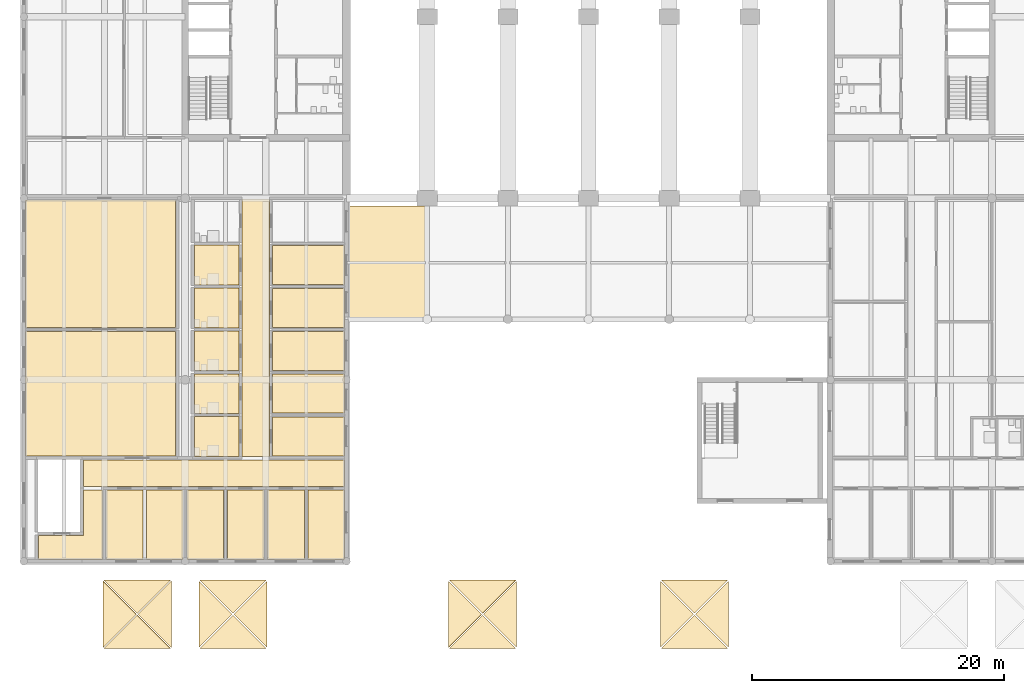
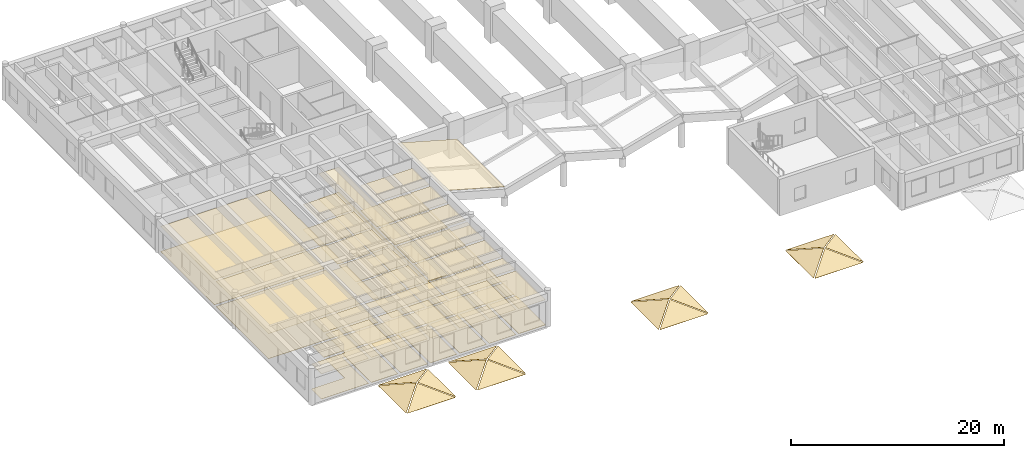
# One storey, part 15 of 19: 59 coverings.
"""IFC4 building model written with IfcOpenShell, lengths in metres."""

from ifc_helpers import new_model, si_unit, direction, frame, origin, place, context, subcontext, project, spatial, polyline, outline, extrude, material, layer, layer_set, type_object, element, save


model = new_model("IFC4")

# Units and contexts
model_context = context("Model", 3, precision=1e-05, world=origin(), true_north=direction((0.0, 1.0)))
body_context = subcontext(model_context, "Body", "Model", "MODEL_VIEW")
ifc_project = project(units=[si_unit("LENGTHUNIT", "METRE"), si_unit("AREAUNIT", "SQUARE_METRE"), si_unit("VOLUMEUNIT", "CUBIC_METRE"), si_unit("PLANEANGLEUNIT", "RADIAN"), si_unit("MASSUNIT", "GRAM", prefix="KILO")], contexts=[model_context])

# Site, building, storey
site_placement = place(None, origin())
site = spatial("IfcSite", under=ifc_project, at=site_placement, CompositionType="ELEMENT")
building_placement = place(site_placement, origin())
building = spatial("IfcBuilding", under=site, at=building_placement, Name="Fogon Plaza Fire Station and Headquarters Tower", CompositionType="ELEMENT")
storey_placement = place(building_placement, frame((0.0, 0.0, 4.199951171875)))
storey = spatial("IfcBuildingStorey", under=building, at=storey_placement, Name="L01", CompositionType="ELEMENT", Elevation=4.199951171875)

# Coverings
ifc_material_1 = material(Name="Acoustic Mineral Wool Ceiling Tile")
ifc_layer_1 = layer(ifc_material_1, 0.030029296875)
ifc_layer_set_1 = layer_set([ifc_layer_1], Name="Acoustic Mineral Wool Ceiling Tile")
covering_type_1 = type_object("IfcCoveringType", Name="Acoustic Ceiling 600x600", PredefinedType="CEILING", material=ifc_layer_set_1)
covering_1_placement = place(storey_placement, frame((0.0, 0.0, 2.880126953125)))
element("IfcCovering", 1, at=covering_1_placement, inside=storey, type_object=covering_type_1, Name="ceiling-L01-W-study", PredefinedType="CEILING", context=body_context, shape_type="SweptSolid", body=[
    extrude(outline(polyline([(0.14990234375, 18.550048828125), (0.14990234375, 28.64990234375), (12.050048828125, 28.64990234375), (12.050048828125, 18.550048828125), (0.14990234375, 18.550048828125)])), origin(), (0.0, 0.0, 1.0), 0.02001953125),
])
ifc_material_2 = material(Name="Single-ply roofing membrane")
ifc_layer_2 = layer(ifc_material_2, 0.02490234375)
ifc_layer_set_2 = layer_set([ifc_layer_2], Name="Single-ply roofing membrane")
covering_type_2 = type_object("IfcCoveringType", Name="Canopy Roofing Membrane 25", PredefinedType="ROOFING", material=ifc_layer_set_2)
covering_2_placement = place(storey_placement, frame((25.606689453125, 28.199951171875, 3.82421875), z_axis=(0.270746640342, 0.0, 0.962650641065), x_axis=(0.962650641065, 0.0, -0.270746640342)))
element("IfcCovering", 2, at=covering_2_placement, inside=storey, type_object=covering_type_2, Name="Roofing RM1 canopy-rear-1", PredefinedType="ROOFING", context=body_context, shape_type="SweptSolid", body=[
    extrude(outline(polyline([(0.0, 0.0), (6.648462288762107, 0.0), (6.648462288762107, -9.0), (0.0, -9.0), (0.0, 0.0)])), origin(), (0.0, 0.0, -1.0), 0.02490234375),
])
ifc_material_3 = material(Name="Carpet Tile Floor Finish")
ifc_layer_3 = layer(ifc_material_3, 0.011962890625)
ifc_layer_set_3 = layer_set([ifc_layer_3], Name="Carpet Tile Floor Finish")
covering_type_3 = type_object("IfcCoveringType", Name="Floor Finish Carpet 12", PredefinedType="FLOORING", material=ifc_layer_set_3)
covering_3_placement = place(storey_placement, origin())
element("IfcCovering", 3, at=covering_3_placement, inside=storey, type_object=covering_type_3, Name="floor-L01-W-study", PredefinedType="FLOORING", context=body_context, shape_type="SweptSolid", body=[
    extrude(outline(polyline([(0.14990234375, 18.550048828125), (0.14990234375, 28.64990234375), (12.050048828125, 28.64990234375), (12.050048828125, 18.550048828125), (0.14990234375, 18.550048828125)])), origin(), (0.0, 0.0, 1.0), 0.025146484375),
])
ifc_material_4 = material(Name="Ceramic Tile Floor Finish")
ifc_layer_4 = layer(ifc_material_4, 0.02490234375)
ifc_layer_set_4 = layer_set([ifc_layer_4], Name="Ceramic Tile Floor Finish")
covering_type_4 = type_object("IfcCoveringType", Name="Floor Finish Tile 25", PredefinedType="FLOORING", material=ifc_layer_set_4)
covering_4_placement = place(storey_placement, origin())
element("IfcCovering", 4, at=covering_4_placement, inside=storey, type_object=covering_type_4, Name="floor-L01-W-w1", PredefinedType="FLOORING", context=body_context, shape_type="SweptSolid", body=[
    extrude(outline(polyline([(13.52490234375, 8.324951171875), (13.52490234375, 11.47509765625), (17.074951171875, 11.47509765625), (17.074951171875, 8.324951171875), (13.52490234375, 8.324951171875)])), origin(), (0.0, 0.0, 1.0), 0.025146484375),
])
covering_5_placement = place(storey_placement, origin())
element("IfcCovering", 5, at=covering_5_placement, inside=storey, type_object=covering_type_4, Name="floor-L01-W-w2", PredefinedType="FLOORING", context=body_context, shape_type="SweptSolid", body=[
    extrude(outline(polyline([(13.52490234375, 11.72509765625), (13.52490234375, 14.875), (17.074951171875, 14.875), (17.074951171875, 11.72509765625), (13.52490234375, 11.72509765625)])), origin(), (0.0, 0.0, 1.0), 0.025146484375),
])
covering_6_placement = place(storey_placement, origin())
element("IfcCovering", 6, at=covering_6_placement, inside=storey, type_object=covering_type_4, Name="floor-L01-W-w3", PredefinedType="FLOORING", context=body_context, shape_type="SweptSolid", body=[
    extrude(outline(polyline([(13.52490234375, 15.125), (13.52490234375, 18.27490234375), (17.074951171875, 18.27490234375), (17.074951171875, 15.125), (13.52490234375, 15.125)])), origin(), (0.0, 0.0, 1.0), 0.025146484375),
])
covering_7_placement = place(storey_placement, origin())
element("IfcCovering", 7, at=covering_7_placement, inside=storey, type_object=covering_type_4, Name="floor-L01-W-w4", PredefinedType="FLOORING", context=body_context, shape_type="SweptSolid", body=[
    extrude(outline(polyline([(13.52490234375, 18.52490234375), (13.52490234375, 21.675048828125), (17.074951171875, 21.675048828125), (17.074951171875, 18.52490234375), (13.52490234375, 18.52490234375)])), origin(), (0.0, 0.0, 1.0), 0.025146484375),
])
covering_8_placement = place(storey_placement, origin())
element("IfcCovering", 8, at=covering_8_placement, inside=storey, type_object=covering_type_4, Name="floor-L01-W-w5", PredefinedType="FLOORING", context=body_context, shape_type="SweptSolid", body=[
    extrude(outline(polyline([(13.52490234375, 21.925048828125), (13.52490234375, 25.074951171875), (17.074951171875, 25.074951171875), (17.074951171875, 21.925048828125), (13.52490234375, 21.925048828125)])), origin(), (0.0, 0.0, 1.0), 0.025146484375),
])
ifc_material_5 = material(Name="Vinyl Floor Finish")
ifc_layer_5 = layer(ifc_material_5, 0.02490234375)
ifc_layer_set_5 = layer_set([ifc_layer_5], Name="Vinyl Floor Finish")
covering_type_5 = type_object("IfcCoveringType", Name="Floor Finish Vinyl 25", PredefinedType="FLOORING", material=ifc_layer_set_5)
covering_9_placement = place(storey_placement, origin())
element("IfcCovering", 9, at=covering_9_placement, inside=storey, type_object=covering_type_5, Name="floor-L01-W-d1", PredefinedType="FLOORING", context=body_context, shape_type="SweptSolid", body=[
    extrude(outline(polyline([(6.550048828125, 0.14990234375), (6.550048828125, 5.64990234375), (9.449951171875, 5.64990234375), (9.449951171875, 0.14990234375), (6.550048828125, 0.14990234375)])), origin(), (0.0, 0.0, 1.0), 0.025146484375),
])
covering_10_placement = place(storey_placement, origin())
element("IfcCovering", 10, at=covering_10_placement, inside=storey, type_object=covering_type_5, Name="floor-L01-W-d2", PredefinedType="FLOORING", context=body_context, shape_type="SweptSolid", body=[
    extrude(outline(polyline([(9.75, 0.14990234375), (9.75, 5.64990234375), (12.64990234375, 5.64990234375), (12.64990234375, 0.14990234375), (9.75, 0.14990234375)])), origin(), (0.0, 0.0, 1.0), 0.025146484375),
])
covering_11_placement = place(storey_placement, origin())
element("IfcCovering", 11, at=covering_11_placement, inside=storey, type_object=covering_type_5, Name="floor-L01-W-d3", PredefinedType="FLOORING", context=body_context, shape_type="SweptSolid", body=[
    extrude(outline(polyline([(12.949951171875, 0.14990234375), (12.949951171875, 5.64990234375), (15.85009765625, 5.64990234375), (15.85009765625, 0.14990234375), (12.949951171875, 0.14990234375)])), origin(), (0.0, 0.0, 1.0), 0.025146484375),
])
covering_12_placement = place(storey_placement, origin())
element("IfcCovering", 12, at=covering_12_placement, inside=storey, type_object=covering_type_5, Name="floor-L01-W-d4", PredefinedType="FLOORING", context=body_context, shape_type="SweptSolid", body=[
    extrude(outline(polyline([(16.14990234375, 0.14990234375), (16.14990234375, 5.64990234375), (19.050048828125, 5.64990234375), (19.050048828125, 0.14990234375), (16.14990234375, 0.14990234375)])), origin(), (0.0, 0.0, 1.0), 0.025146484375),
])
covering_13_placement = place(storey_placement, origin())
element("IfcCovering", 13, at=covering_13_placement, inside=storey, type_object=covering_type_5, Name="floor-L01-W-d5", PredefinedType="FLOORING", context=body_context, shape_type="SweptSolid", body=[
    extrude(outline(polyline([(19.35009765625, 0.14990234375), (19.35009765625, 5.64990234375), (22.25, 5.64990234375), (22.25, 0.14990234375), (19.35009765625, 0.14990234375)])), origin(), (0.0, 0.0, 1.0), 0.025146484375),
])
covering_14_placement = place(storey_placement, origin())
element("IfcCovering", 14, at=covering_14_placement, inside=storey, type_object=covering_type_5, Name="floor-L01-W-d6", PredefinedType="FLOORING", context=body_context, shape_type="SweptSolid", body=[
    extrude(outline(polyline([(22.550048828125, 0.14990234375), (22.550048828125, 5.64990234375), (25.449951171875, 5.64990234375), (25.449951171875, 0.14990234375), (22.550048828125, 0.14990234375)])), origin(), (0.0, 0.0, 1.0), 0.025146484375),
])
covering_15_placement = place(storey_placement, origin())
element("IfcCovering", 15, at=covering_15_placement, inside=storey, type_object=covering_type_5, Name="floor-L01-W-d7", PredefinedType="FLOORING", context=body_context, shape_type="SweptSolid", body=[
    extrude(outline(polyline([(19.75, 8.35009765625), (19.75, 11.449951171875), (25.449951171875, 11.449951171875), (25.449951171875, 8.35009765625), (19.75, 8.35009765625)])), origin(), (0.0, 0.0, 1.0), 0.025146484375),
])
covering_16_placement = place(storey_placement, origin())
element("IfcCovering", 16, at=covering_16_placement, inside=storey, type_object=covering_type_5, Name="floor-L01-W-d8", PredefinedType="FLOORING", context=body_context, shape_type="SweptSolid", body=[
    extrude(outline(polyline([(19.75, 11.75), (19.75, 14.85009765625), (25.449951171875, 14.85009765625), (25.449951171875, 11.75), (19.75, 11.75)])), origin(), (0.0, 0.0, 1.0), 0.025146484375),
])
covering_17_placement = place(storey_placement, origin())
element("IfcCovering", 17, at=covering_17_placement, inside=storey, type_object=covering_type_5, Name="floor-L01-W-d9", PredefinedType="FLOORING", context=body_context, shape_type="SweptSolid", body=[
    extrude(outline(polyline([(19.75, 15.14990234375), (19.75, 18.25), (25.449951171875, 18.25), (25.449951171875, 15.14990234375), (19.75, 15.14990234375)])), origin(), (0.0, 0.0, 1.0), 0.025146484375),
])
covering_18_placement = place(storey_placement, origin())
element("IfcCovering", 18, at=covering_18_placement, inside=storey, type_object=covering_type_5, Name="floor-L01-W-d10", PredefinedType="FLOORING", context=body_context, shape_type="SweptSolid", body=[
    extrude(outline(polyline([(19.75, 18.550048828125), (19.75, 21.64990234375), (25.449951171875, 21.64990234375), (25.449951171875, 18.550048828125), (19.75, 18.550048828125)])), origin(), (0.0, 0.0, 1.0), 0.025146484375),
])
covering_19_placement = place(storey_placement, origin())
element("IfcCovering", 19, at=covering_19_placement, inside=storey, type_object=covering_type_5, Name="floor-L01-W-d11", PredefinedType="FLOORING", context=body_context, shape_type="SweptSolid", body=[
    extrude(outline(polyline([(19.75, 21.949951171875), (19.75, 25.050048828125), (25.449951171875, 25.050048828125), (25.449951171875, 21.949951171875), (19.75, 21.949951171875)])), origin(), (0.0, 0.0, 1.0), 0.025146484375),
])
covering_20_placement = place(storey_placement, origin())
element("IfcCovering", 20, at=covering_20_placement, inside=storey, type_object=covering_type_5, Name="floor-L01-W-slob", PredefinedType="FLOORING", context=body_context, shape_type="SweptSolid", body=[
    extrude(outline(polyline([(1.14990234375, 0.14990234375), (1.14990234375, 2.050048828125), (4.75, 2.050048828125), (4.75, 5.64990234375), (6.25, 5.64990234375), (6.25, 0.14990234375), (1.14990234375, 0.14990234375)])), origin(), (0.0, 0.0, 1.0), 0.025146484375),
])
covering_21_placement = place(storey_placement, origin())
element("IfcCovering", 21, at=covering_21_placement, inside=storey, type_object=covering_type_5, Name="floor-L01-W-dcor", PredefinedType="FLOORING", context=body_context, shape_type="SweptSolid", body=[
    extrude(outline(polyline([(4.75, 5.949951171875), (4.75, 8.050048828125), (25.449951171875, 8.050048828125), (25.449951171875, 5.949951171875), (4.75, 5.949951171875)])), origin(), (0.0, 0.0, 1.0), 0.025146484375),
])
covering_22_placement = place(storey_placement, origin())
element("IfcCovering", 22, at=covering_22_placement, inside=storey, type_object=covering_type_5, Name="floor-L01-W-dns", PredefinedType="FLOORING", context=body_context, shape_type="SweptSolid", body=[
    extrude(outline(polyline([(17.300048828125, 8.300048828125), (17.300048828125, 28.699951171875), (19.5, 28.699951171875), (19.5, 8.300048828125), (17.300048828125, 8.300048828125)])), origin(), (0.0, 0.0, 1.0), 0.025146484375),
])
covering_23_placement = place(storey_placement, origin())
element("IfcCovering", 23, at=covering_23_placement, inside=storey, type_object=covering_type_5, Name="floor-L01-W-day", PredefinedType="FLOORING", context=body_context, shape_type="SweptSolid", body=[
    extrude(outline(polyline([(0.14990234375, 8.35009765625), (0.14990234375, 18.25), (12.050048828125, 18.25), (12.050048828125, 8.35009765625), (0.14990234375, 8.35009765625)])), origin(), (0.0, 0.0, 1.0), 0.025146484375),
])
ifc_material_6 = material(Name="Moisture Resistant Gypsum Ceiling")
ifc_layer_6 = layer(ifc_material_6, 0.02001953125)
ifc_layer_set_6 = layer_set([ifc_layer_6], Name="Moisture Resistant Gypsum Ceiling")
covering_type_6 = type_object("IfcCoveringType", Name="Moisture Resistant Ceiling 600x600", PredefinedType="CEILING", material=ifc_layer_set_6)
covering_24_placement = place(storey_placement, frame((0.0, 0.0, 2.880126953125)))
element("IfcCovering", 24, at=covering_24_placement, inside=storey, type_object=covering_type_6, Name="ceiling-L01-W-w1", PredefinedType="CEILING", context=body_context, shape_type="SweptSolid", body=[
    extrude(outline(polyline([(13.52490234375, 8.324951171875), (13.52490234375, 11.47509765625), (17.074951171875, 11.47509765625), (17.074951171875, 8.324951171875), (13.52490234375, 8.324951171875)])), origin(), (0.0, 0.0, 1.0), 0.02001953125),
])
covering_25_placement = place(storey_placement, frame((0.0, 0.0, 2.880126953125)))
element("IfcCovering", 25, at=covering_25_placement, inside=storey, type_object=covering_type_6, Name="ceiling-L01-W-w2", PredefinedType="CEILING", context=body_context, shape_type="SweptSolid", body=[
    extrude(outline(polyline([(13.52490234375, 11.72509765625), (13.52490234375, 14.875), (17.074951171875, 14.875), (17.074951171875, 11.72509765625), (13.52490234375, 11.72509765625)])), origin(), (0.0, 0.0, 1.0), 0.02001953125),
])
covering_26_placement = place(storey_placement, frame((0.0, 0.0, 2.880126953125)))
element("IfcCovering", 26, at=covering_26_placement, inside=storey, type_object=covering_type_6, Name="ceiling-L01-W-w3", PredefinedType="CEILING", context=body_context, shape_type="SweptSolid", body=[
    extrude(outline(polyline([(13.52490234375, 15.125), (13.52490234375, 18.27490234375), (17.074951171875, 18.27490234375), (17.074951171875, 15.125), (13.52490234375, 15.125)])), origin(), (0.0, 0.0, 1.0), 0.02001953125),
])
covering_27_placement = place(storey_placement, frame((0.0, 0.0, 2.880126953125)))
element("IfcCovering", 27, at=covering_27_placement, inside=storey, type_object=covering_type_6, Name="ceiling-L01-W-w4", PredefinedType="CEILING", context=body_context, shape_type="SweptSolid", body=[
    extrude(outline(polyline([(13.52490234375, 18.52490234375), (13.52490234375, 21.675048828125), (17.074951171875, 21.675048828125), (17.074951171875, 18.52490234375), (13.52490234375, 18.52490234375)])), origin(), (0.0, 0.0, 1.0), 0.02001953125),
])
covering_28_placement = place(storey_placement, frame((0.0, 0.0, 2.880126953125)))
element("IfcCovering", 28, at=covering_28_placement, inside=storey, type_object=covering_type_6, Name="ceiling-L01-W-w5", PredefinedType="CEILING", context=body_context, shape_type="SweptSolid", body=[
    extrude(outline(polyline([(13.52490234375, 21.925048828125), (13.52490234375, 25.074951171875), (17.074951171875, 25.074951171875), (17.074951171875, 21.925048828125), (13.52490234375, 21.925048828125)])), origin(), (0.0, 0.0, 1.0), 0.02001953125),
])
ifc_material_7 = material(Name="Mineral Fibre Ceiling Tile")
ifc_layer_7 = layer(ifc_material_7, 0.02001953125)
ifc_layer_set_7 = layer_set([ifc_layer_7], Name="Mineral Fibre Ceiling Tile")
covering_type_7 = type_object("IfcCoveringType", Name="Suspended Ceiling 600x600", PredefinedType="CEILING", material=ifc_layer_set_7)
covering_29_placement = place(storey_placement, frame((0.0, 0.0, 2.880126953125)))
element("IfcCovering", 29, at=covering_29_placement, inside=storey, type_object=covering_type_7, Name="ceiling-L01-W-d1", PredefinedType="CEILING", context=body_context, shape_type="SweptSolid", body=[
    extrude(outline(polyline([(6.550048828125, 0.14990234375), (6.550048828125, 5.64990234375), (9.449951171875, 5.64990234375), (9.449951171875, 0.14990234375), (6.550048828125, 0.14990234375)])), origin(), (0.0, 0.0, 1.0), 0.02001953125),
])
covering_30_placement = place(storey_placement, frame((0.0, 0.0, 2.880126953125)))
element("IfcCovering", 30, at=covering_30_placement, inside=storey, type_object=covering_type_7, Name="ceiling-L01-W-d2", PredefinedType="CEILING", context=body_context, shape_type="SweptSolid", body=[
    extrude(outline(polyline([(9.75, 0.14990234375), (9.75, 5.64990234375), (12.64990234375, 5.64990234375), (12.64990234375, 0.14990234375), (9.75, 0.14990234375)])), origin(), (0.0, 0.0, 1.0), 0.02001953125),
])
covering_31_placement = place(storey_placement, frame((0.0, 0.0, 2.880126953125)))
element("IfcCovering", 31, at=covering_31_placement, inside=storey, type_object=covering_type_7, Name="ceiling-L01-W-d3", PredefinedType="CEILING", context=body_context, shape_type="SweptSolid", body=[
    extrude(outline(polyline([(12.949951171875, 0.14990234375), (12.949951171875, 5.64990234375), (15.85009765625, 5.64990234375), (15.85009765625, 0.14990234375), (12.949951171875, 0.14990234375)])), origin(), (0.0, 0.0, 1.0), 0.02001953125),
])
covering_32_placement = place(storey_placement, frame((0.0, 0.0, 2.880126953125)))
element("IfcCovering", 32, at=covering_32_placement, inside=storey, type_object=covering_type_7, Name="ceiling-L01-W-d4", PredefinedType="CEILING", context=body_context, shape_type="SweptSolid", body=[
    extrude(outline(polyline([(16.14990234375, 0.14990234375), (16.14990234375, 5.64990234375), (19.050048828125, 5.64990234375), (19.050048828125, 0.14990234375), (16.14990234375, 0.14990234375)])), origin(), (0.0, 0.0, 1.0), 0.02001953125),
])
covering_33_placement = place(storey_placement, frame((0.0, 0.0, 2.880126953125)))
element("IfcCovering", 33, at=covering_33_placement, inside=storey, type_object=covering_type_7, Name="ceiling-L01-W-d5", PredefinedType="CEILING", context=body_context, shape_type="SweptSolid", body=[
    extrude(outline(polyline([(19.35009765625, 0.14990234375), (19.35009765625, 5.64990234375), (22.25, 5.64990234375), (22.25, 0.14990234375), (19.35009765625, 0.14990234375)])), origin(), (0.0, 0.0, 1.0), 0.02001953125),
])
covering_34_placement = place(storey_placement, frame((0.0, 0.0, 2.880126953125)))
element("IfcCovering", 34, at=covering_34_placement, inside=storey, type_object=covering_type_7, Name="ceiling-L01-W-d6", PredefinedType="CEILING", context=body_context, shape_type="SweptSolid", body=[
    extrude(outline(polyline([(22.550048828125, 0.14990234375), (22.550048828125, 5.64990234375), (25.449951171875, 5.64990234375), (25.449951171875, 0.14990234375), (22.550048828125, 0.14990234375)])), origin(), (0.0, 0.0, 1.0), 0.02001953125),
])
covering_35_placement = place(storey_placement, frame((0.0, 0.0, 2.880126953125)))
element("IfcCovering", 35, at=covering_35_placement, inside=storey, type_object=covering_type_7, Name="ceiling-L01-W-d7", PredefinedType="CEILING", context=body_context, shape_type="SweptSolid", body=[
    extrude(outline(polyline([(19.75, 8.35009765625), (19.75, 11.449951171875), (25.449951171875, 11.449951171875), (25.449951171875, 8.35009765625), (19.75, 8.35009765625)])), origin(), (0.0, 0.0, 1.0), 0.02001953125),
])
covering_36_placement = place(storey_placement, frame((0.0, 0.0, 2.880126953125)))
element("IfcCovering", 36, at=covering_36_placement, inside=storey, type_object=covering_type_7, Name="ceiling-L01-W-d8", PredefinedType="CEILING", context=body_context, shape_type="SweptSolid", body=[
    extrude(outline(polyline([(19.75, 11.75), (19.75, 14.85009765625), (25.449951171875, 14.85009765625), (25.449951171875, 11.75), (19.75, 11.75)])), origin(), (0.0, 0.0, 1.0), 0.02001953125),
])
covering_37_placement = place(storey_placement, frame((0.0, 0.0, 2.880126953125)))
element("IfcCovering", 37, at=covering_37_placement, inside=storey, type_object=covering_type_7, Name="ceiling-L01-W-d9", PredefinedType="CEILING", context=body_context, shape_type="SweptSolid", body=[
    extrude(outline(polyline([(19.75, 15.14990234375), (19.75, 18.25), (25.449951171875, 18.25), (25.449951171875, 15.14990234375), (19.75, 15.14990234375)])), origin(), (0.0, 0.0, 1.0), 0.02001953125),
])
covering_38_placement = place(storey_placement, frame((0.0, 0.0, 2.880126953125)))
element("IfcCovering", 38, at=covering_38_placement, inside=storey, type_object=covering_type_7, Name="ceiling-L01-W-d10", PredefinedType="CEILING", context=body_context, shape_type="SweptSolid", body=[
    extrude(outline(polyline([(19.75, 18.550048828125), (19.75, 21.64990234375), (25.449951171875, 21.64990234375), (25.449951171875, 18.550048828125), (19.75, 18.550048828125)])), origin(), (0.0, 0.0, 1.0), 0.02001953125),
])
covering_39_placement = place(storey_placement, frame((0.0, 0.0, 2.880126953125)))
element("IfcCovering", 39, at=covering_39_placement, inside=storey, type_object=covering_type_7, Name="ceiling-L01-W-d11", PredefinedType="CEILING", context=body_context, shape_type="SweptSolid", body=[
    extrude(outline(polyline([(19.75, 21.949951171875), (19.75, 25.050048828125), (25.449951171875, 25.050048828125), (25.449951171875, 21.949951171875), (19.75, 21.949951171875)])), origin(), (0.0, 0.0, 1.0), 0.02001953125),
])
covering_40_placement = place(storey_placement, frame((0.0, 0.0, 2.880126953125)))
element("IfcCovering", 40, at=covering_40_placement, inside=storey, type_object=covering_type_7, Name="ceiling-L01-W-slob", PredefinedType="CEILING", context=body_context, shape_type="SweptSolid", body=[
    extrude(outline(polyline([(1.14990234375, 0.14990234375), (1.14990234375, 2.050048828125), (4.75, 2.050048828125), (4.75, 5.64990234375), (6.25, 5.64990234375), (6.25, 0.14990234375), (1.14990234375, 0.14990234375)])), origin(), (0.0, 0.0, 1.0), 0.02001953125),
])
covering_41_placement = place(storey_placement, frame((0.0, 0.0, 2.880126953125)))
element("IfcCovering", 41, at=covering_41_placement, inside=storey, type_object=covering_type_7, Name="ceiling-L01-W-dcor", PredefinedType="CEILING", context=body_context, shape_type="SweptSolid", body=[
    extrude(outline(polyline([(4.75, 5.949951171875), (4.75, 8.050048828125), (25.449951171875, 8.050048828125), (25.449951171875, 5.949951171875), (4.75, 5.949951171875)])), origin(), (0.0, 0.0, 1.0), 0.02001953125),
])
covering_42_placement = place(storey_placement, frame((0.0, 0.0, 2.880126953125)))
element("IfcCovering", 42, at=covering_42_placement, inside=storey, type_object=covering_type_7, Name="ceiling-L01-W-dns", PredefinedType="CEILING", context=body_context, shape_type="SweptSolid", body=[
    extrude(outline(polyline([(17.300048828125, 8.300048828125), (17.300048828125, 28.699951171875), (19.5, 28.699951171875), (19.5, 8.300048828125), (17.300048828125, 8.300048828125)])), origin(), (0.0, 0.0, 1.0), 0.02001953125),
])
covering_43_placement = place(storey_placement, frame((0.0, 0.0, 2.880126953125)))
element("IfcCovering", 43, at=covering_43_placement, inside=storey, type_object=covering_type_7, Name="ceiling-L01-W-day", PredefinedType="CEILING", context=body_context, shape_type="SweptSolid", body=[
    extrude(outline(polyline([(0.14990234375, 8.35009765625), (0.14990234375, 18.25), (12.050048828125, 18.25), (12.050048828125, 8.35009765625), (0.14990234375, 8.35009765625)])), origin(), (0.0, 0.0, 1.0), 0.02001953125),
])
ifc_material_8 = material(Name="Fibre-reinforced shell topping", Category="concrete")
ifc_layer_8 = layer(ifc_material_8, 0.014892578125)
ifc_layer_set_8 = layer_set([ifc_layer_8], Name="Fibre-reinforced shell topping")
covering_type_8 = type_object("IfcCoveringType", Name="Umbrella Shell Topping 15", PredefinedType="ROOFING", material=ifc_layer_set_8)
covering_44_placement = place(storey_placement, frame((6.37060546875, -6.9052734375, 0.814208984375), z_axis=(0.0, -0.347246293185, 0.9377739663), x_axis=(0.684047482049, 0.684047482049, 0.253294462248)))
element("IfcCovering", 44, at=covering_44_placement, inside=storey, type_object=covering_type_8, Name="Roofing RM2 umb-U1-1", PredefinedType="ROOFING", context=body_context, shape_type="SweptSolid", body=[
    extrude(outline(polyline([(0.0, 0.0), (3.843877216497878, 2.7755575615628914e-17), (3.5972614168287254, -3.8359578598917143), (0.0, 0.0)])), origin(), (0.0, 0.0, -1.0), 0.014892578125),
])
covering_45_placement = place(storey_placement, frame((11.705322265625, -6.829345703125, 0.814208984375), z_axis=(0.347246293185, 0.0, 0.9377739663), x_axis=(-0.684047482049, 0.684047482049, 0.253294462248)))
element("IfcCovering", 45, at=covering_45_placement, inside=storey, type_object=covering_type_8, Name="Roofing RM2 umb-U1-2", PredefinedType="ROOFING", context=body_context, shape_type="SweptSolid", body=[
    extrude(outline(polyline([(0.0, 0.0), (3.843877216497878, 0.0), (3.5970944130489286, -3.8357797745685995), (0.0, 0.0)])), origin(), (0.0, 0.0, -1.0), 0.014892578125),
])
covering_46_placement = place(storey_placement, frame((11.62939453125, -1.494873046875, 0.814208984375), z_axis=(0.0, 0.347274649598, 0.937763465777), x_axis=(-0.684077202211, -0.684013685294, 0.253305467263)))
element("IfcCovering", 46, at=covering_46_placement, inside=storey, type_object=covering_type_8, Name="Roofing RM2 umb-U1-3", PredefinedType="ROOFING", context=body_context, shape_type="SweptSolid", body=[
    extrude(outline(polyline([(0.0, 0.0), (3.843710216843572, -4.163336342344337e-16), (3.597417708895289, -3.8358112872762926), (0.0, 0.0)])), origin(), (0.0, 0.0, -1.0), 0.014892578125),
])
covering_47_placement = place(storey_placement, frame((6.294677734375, -1.57080078125, 0.814208984375), z_axis=(-0.347246293185, 0.0, 0.9377739663), x_axis=(0.684077202211, -0.684013685294, 0.253305467263)))
element("IfcCovering", 47, at=covering_47_placement, inside=storey, type_object=covering_type_8, Name="Roofing RM2 umb-U1-4", PredefinedType="ROOFING", context=body_context, shape_type="SweptSolid", body=[
    extrude(outline(polyline([(0.0, 0.0), (3.843710216843572, 8.326672684688674e-17), (3.5969166912952604, -3.8359464296649026), (0.0, 0.0)])), origin(), (0.0, 0.0, -1.0), 0.014892578125),
])
covering_48_placement = place(storey_placement, frame((13.970703125, -6.9052734375, 0.814208984375), z_axis=(0.0, -0.347246293185, 0.9377739663), x_axis=(0.684047482049, 0.684047482049, 0.253294462248)))
element("IfcCovering", 48, at=covering_48_placement, inside=storey, type_object=covering_type_8, Name="Roofing RM2 umb-U2-1", PredefinedType="ROOFING", context=body_context, shape_type="SweptSolid", body=[
    extrude(outline(polyline([(0.0, 0.0), (3.843877216497878, 0.0), (3.5970944130489286, -3.8357797745685995), (0.0, 0.0)])), origin(), (0.0, 0.0, -1.0), 0.014892578125),
])
covering_49_placement = place(storey_placement, frame((19.30517578125, -6.829345703125, 0.814208984375), z_axis=(0.347274649598, 0.0, 0.937763465777), x_axis=(-0.684013685294, 0.684077202211, 0.253305467263)))
element("IfcCovering", 49, at=covering_49_placement, inside=storey, type_object=covering_type_8, Name="Roofing RM2 umb-U2-2", PredefinedType="ROOFING", context=body_context, shape_type="SweptSolid", body=[
    extrude(outline(polyline([(0.0, 0.0), (3.843710216843572, -1.6653345369377348e-16), (3.5972506978595926, -3.8356332087578493), (0.0, 0.0)])), origin(), (0.0, 0.0, -1.0), 0.014892578125),
])
covering_50_placement = place(storey_placement, frame((19.229248046875, -1.494873046875, 0.814208984375), z_axis=(0.0, 0.347274649598, 0.937763465777), x_axis=(-0.684043406571, -0.684043406571, 0.253316473712)))
element("IfcCovering", 50, at=covering_50_placement, inside=storey, type_object=covering_type_8, Name="Roofing RM2 umb-U2-3", PredefinedType="ROOFING", context=body_context, shape_type="SweptSolid", body=[
    extrude(outline(polyline([(0.0, 0.0), (3.8435432099332307, -8.326672684688674e-17), (3.597072981965238, -3.835799871968436), (0.0, 0.0)])), origin(), (0.0, 0.0, -1.0), 0.014892578125),
])
for number, where, z_axis, x_axis, name in (
    (51, (13.894775390625, -1.57080078125, 0.814208984375), (-0.347246293185, 0.0, 0.9377739663), (0.684077202211, -0.684013685294, 0.253305467263), "Roofing RM2 umb-U2-4"),
    (52, (33.770751953125, -6.9052734375, 0.814208984375), (0.0, -0.347246293185, 0.9377739663), (0.684013685294, 0.684077202211, 0.253305467263), "Roofing RM2 umb-U3-1"),
):
    element("IfcCovering", number, at=place(storey_placement, frame(where, z_axis=z_axis, x_axis=x_axis)), inside=storey, type_object=covering_type_8, Name=name, PredefinedType="ROOFING", context=body_context, shape_type="SweptSolid", body=[
        extrude(outline(polyline([(0.0, 0.0), (3.843710216843572, 8.326672684688674e-17), (3.5969166912952604, -3.8359464296649026), (0.0, 0.0)])), origin(), (0.0, 0.0, -1.0), 0.014892578125),
    ])
covering_51_placement = place(storey_placement, frame((39.105224609375, -6.829345703125, 0.814208984375), z_axis=(0.347246293185, 0.0, 0.9377739663), x_axis=(-0.684047482049, 0.684047482049, 0.253294462248)))
element("IfcCovering", 53, at=covering_51_placement, inside=storey, type_object=covering_type_8, Name="Roofing RM2 umb-U3-2", PredefinedType="ROOFING", context=body_context, shape_type="SweptSolid", body=[
    extrude(outline(polyline([(0.0, 0.0), (3.843877216497878, 0.0), (3.5970944130489286, -3.8357797745685995), (0.0, 0.0)])), origin(), (0.0, 0.0, -1.0), 0.014892578125),
])
covering_52_placement = place(storey_placement, frame((39.029296875, -1.494873046875, 0.814208984375), z_axis=(0.0, 0.347274649598, 0.937763465777), x_axis=(-0.684077202211, -0.684013685294, 0.253305467263)))
element("IfcCovering", 54, at=covering_52_placement, inside=storey, type_object=covering_type_8, Name="Roofing RM2 umb-U3-3", PredefinedType="ROOFING", context=body_context, shape_type="SweptSolid", body=[
    extrude(outline(polyline([(0.0, 0.0), (3.843710216843572, -1.6653345369377348e-16), (3.5972506978595926, -3.8356332087578493), (0.0, 0.0)])), origin(), (0.0, 0.0, -1.0), 0.014892578125),
])
covering_53_placement = place(storey_placement, frame((33.69482421875, -1.57080078125, 0.814208984375), z_axis=(-0.347274649598, 0.0, 0.937763465777), x_axis=(0.684043406571, -0.684043406571, 0.253316473712)))
element("IfcCovering", 55, at=covering_53_placement, inside=storey, type_object=covering_type_8, Name="Roofing RM2 umb-U3-4", PredefinedType="ROOFING", context=body_context, shape_type="SweptSolid", body=[
    extrude(outline(polyline([(0.0, 0.0), (3.8435432099332307, -8.326672684688674e-17), (3.597072981965238, -3.835799871968436), (0.0, 0.0)])), origin(), (0.0, 0.0, -1.0), 0.014892578125),
])
covering_54_placement = place(storey_placement, frame((50.57080078125, -6.9052734375, 0.814208984375), z_axis=(0.0, -0.347246293185, 0.9377739663), x_axis=(0.684013685294, 0.684077202211, 0.253305467263)))
element("IfcCovering", 56, at=covering_54_placement, inside=storey, type_object=covering_type_8, Name="Roofing RM2 umb-U4-1", PredefinedType="ROOFING", context=body_context, shape_type="SweptSolid", body=[
    extrude(outline(polyline([(0.0, 0.0), (3.843710216843572, 8.326672684688674e-17), (3.5969166912952604, -3.8359464296649026), (0.0, 0.0)])), origin(), (0.0, 0.0, -1.0), 0.014892578125),
])
covering_55_placement = place(storey_placement, frame((55.9052734375, -6.829345703125, 0.814208984375), z_axis=(0.347246293185, 0.0, 0.9377739663), x_axis=(-0.684047482049, 0.684047482049, 0.253294462248)))
element("IfcCovering", 57, at=covering_55_placement, inside=storey, type_object=covering_type_8, Name="Roofing RM2 umb-U4-2", PredefinedType="ROOFING", context=body_context, shape_type="SweptSolid", body=[
    extrude(outline(polyline([(0.0, 0.0), (3.843877216497878, 0.0), (3.5970944130489286, -3.8357797745685995), (0.0, 0.0)])), origin(), (0.0, 0.0, -1.0), 0.014892578125),
])
covering_56_placement = place(storey_placement, frame((55.829345703125, -1.494873046875, 0.814208984375), z_axis=(0.0, 0.347274649598, 0.937763465777), x_axis=(-0.684077202211, -0.684013685294, 0.253305467263)))
element("IfcCovering", 58, at=covering_56_placement, inside=storey, type_object=covering_type_8, Name="Roofing RM2 umb-U4-3", PredefinedType="ROOFING", context=body_context, shape_type="SweptSolid", body=[
    extrude(outline(polyline([(0.0, 0.0), (3.843710216843572, -1.6653345369377348e-16), (3.5972506978595926, -3.8356332087578493), (0.0, 0.0)])), origin(), (0.0, 0.0, -1.0), 0.014892578125),
])
covering_57_placement = place(storey_placement, frame((50.494873046875, -1.57080078125, 0.814208984375), z_axis=(-0.347274649598, 0.0, 0.937763465777), x_axis=(0.684043406571, -0.684043406571, 0.253316473712)))
element("IfcCovering", 59, at=covering_57_placement, inside=storey, type_object=covering_type_8, Name="Roofing RM2 umb-U4-4", PredefinedType="ROOFING", context=body_context, shape_type="SweptSolid", body=[
    extrude(outline(polyline([(0.0, 0.0), (3.8435432099332307, -8.326672684688674e-17), (3.597072981965238, -3.835799871968436), (0.0, 0.0)])), origin(), (0.0, 0.0, -1.0), 0.014892578125),
])

save(model, "model.ifc")
